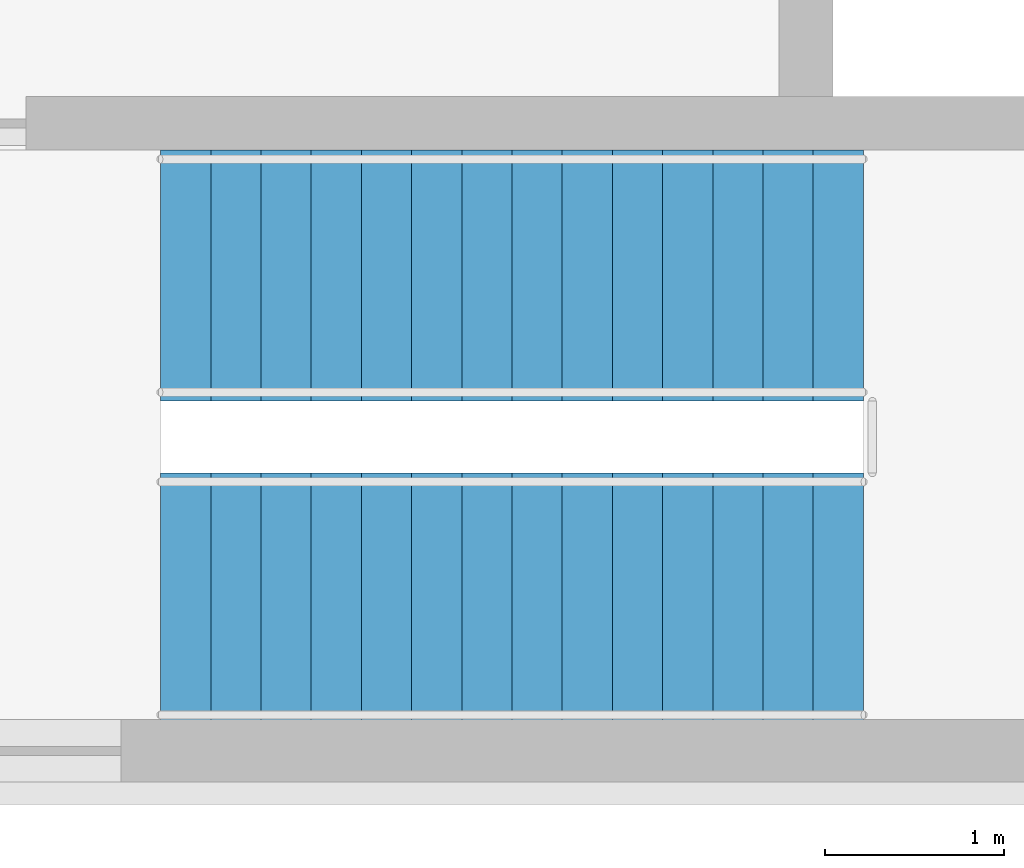
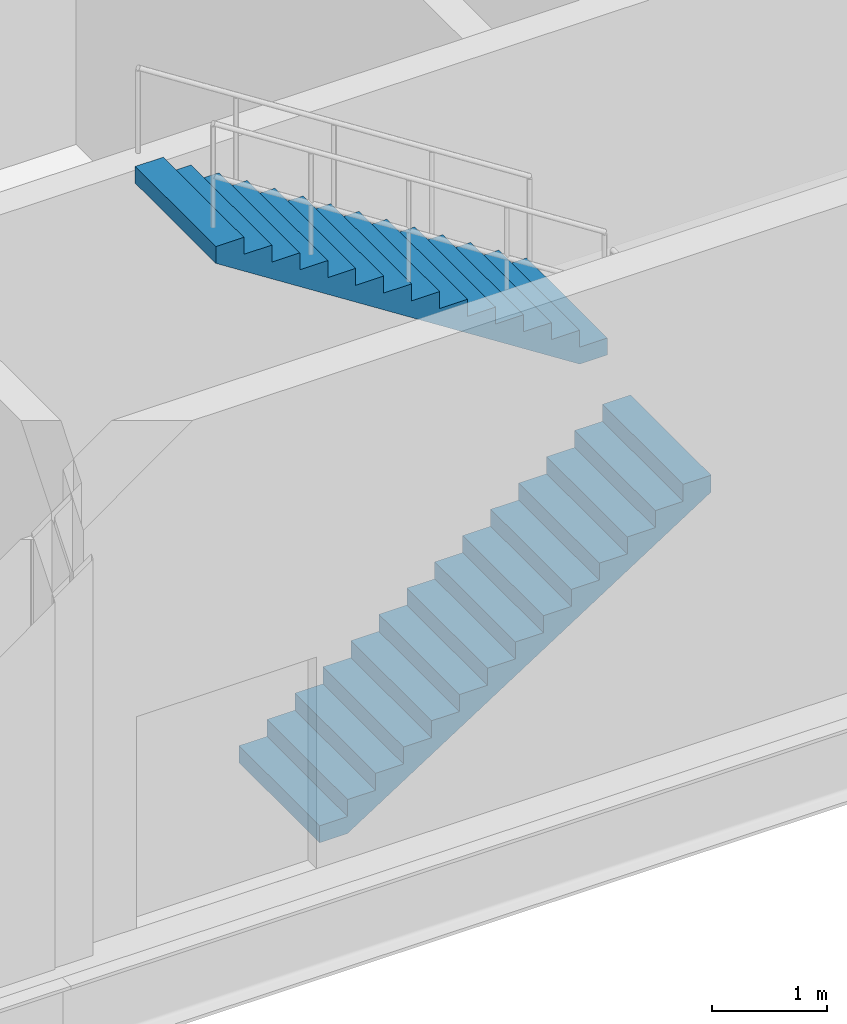
# One storey, part 103 of 111: 2 stair flights, 1 element without a shape of its own.
"""IFC4 building model written with IfcOpenShell, lengths in metres."""

from ifc_helpers import new_model, si_unit, direction, frame, origin, place, context, subcontext, project, spatial, polyline, outline, extrude, material, type_object, element, aggregate, save


model = new_model("IFC4")

# Units and contexts
model_context = context("Model", 3, precision=1e-05, world=origin(), true_north=direction((0.0, 1.0)))
body_context = subcontext(model_context, "Body", "Model", "MODEL_VIEW")
ifc_project = project(units=[si_unit("LENGTHUNIT", "METRE"), si_unit("AREAUNIT", "SQUARE_METRE"), si_unit("VOLUMEUNIT", "CUBIC_METRE"), si_unit("PLANEANGLEUNIT", "RADIAN"), si_unit("MASSUNIT", "GRAM", prefix="KILO"), si_unit("THERMODYNAMICTEMPERATUREUNIT", "KELVIN"), si_unit("POWERUNIT", "WATT")], contexts=[model_context])

# Site, building, storey
site_placement = place(None, origin())
site = spatial("IfcSite", under=ifc_project, at=site_placement, CompositionType="ELEMENT")
building_placement = place(site_placement, origin())
building = spatial("IfcBuilding", under=site, at=building_placement, Name="Tembeka Court Mobility Hub", CompositionType="ELEMENT")
storey_placement = place(building_placement, origin())
storey = spatial("IfcBuildingStorey", under=building, at=storey_placement, Name="L00", CompositionType="ELEMENT", Elevation=0.0)

# Stair, stair flights
ifc_material = material(Name="Concrete C40/50", Category="concrete")
stair_type = type_object("IfcStairType", Name="STR-ST06L00", PredefinedType="HALF_TURN_STAIR", material=ifc_material)
stair_placement = place(storey_placement, origin())
stair = element("IfcStair", 1, at=stair_placement, inside=storey, type_object=stair_type, Name="Protected exit stair ST06 (L00)", PredefinedType="HALF_TURN_STAIR")
stair_flight_type_1 = type_object("IfcStairFlightType", Name="STF-ST06L00F1", PredefinedType="STRAIGHT", material=ifc_material)
stair_flight_1_placement = place(storey_placement, frame((155.14990234375, 1.0, 0.0), z_axis=(0.0, 0.0, 1.0), x_axis=(1.0, 0.0, 0.0)))
stair_flight_1 = element("IfcStairFlight", 2, at=stair_flight_1_placement, type_object=stair_flight_type_1, Name="ST06L00 flight 1", NumberOfRisers=15, NumberOfTreads=14, PredefinedType="STRAIGHT", RiserHeight=0.18, TreadLength=0.28, context=body_context, shape_type="SweptSolid", body=[
    extrude(outline(polyline([(0.0, 0.0), (0.0, 0.179931640625), (0.280029296875, 0.179931640625), (0.280029296875, 0.360107421875), (0.56005859375, 0.360107421875), (0.56005859375, 0.5400390625), (0.840087890625, 0.5400390625), (0.840087890625, 0.719970703125), (1.1201171875, 0.719970703125), (1.1201171875, 0.89990234375), (1.39990234375, 0.89990234375), (1.39990234375, 1.080078125), (1.679931640625, 1.080078125), (1.679931640625, 1.260009765625), (1.9599609375, 1.260009765625), (1.9599609375, 1.43994140625), (2.239990234375, 1.43994140625), (2.239990234375, 1.6201171875), (2.52001953125, 1.6201171875), (2.52001953125, 1.800048828125), (2.800048828125, 1.800048828125), (2.800048828125, 1.97998046875), (3.080078125, 1.97998046875), (3.080078125, 2.159912109375), (3.360107421875, 2.159912109375), (3.360107421875, 2.340087890625), (3.639892578125, 2.340087890625), (3.639892578125, 2.52001953125), (3.919921875, 2.52001953125), (3.919921875, 2.699951171875), (3.919921875, 2.341796875), (0.277099609375, 0.0), (0.0, 0.0)])), frame((0.0, 0.699951171875, 0.0), z_axis=(0.0, -1.0, 0.0), x_axis=(1.0, 0.0, 0.0)), (0.0, 0.0, 1.0), 1.39990234375),
])
stair_flight_type_2 = type_object("IfcStairFlightType", Name="STF-ST06L00F2", PredefinedType="STRAIGHT", material=ifc_material)
stair_flight_2_placement = place(storey_placement, frame((159.070068359375, 2.800048828125, 2.699951171875), z_axis=(0.0, 0.0, 1.0), x_axis=(-1.0, 0.0, 0.0)))
stair_flight_2 = element("IfcStairFlight", 3, at=stair_flight_2_placement, type_object=stair_flight_type_2, Name="ST06L00 flight 2", NumberOfRisers=15, NumberOfTreads=14, PredefinedType="STRAIGHT", RiserHeight=0.18, TreadLength=0.28, context=body_context, shape_type="SweptSolid", body=[
    extrude(outline(polyline([(0.0, 0.0), (0.0, 0.179931640625), (0.280029296875, 0.179931640625), (0.280029296875, 0.360107421875), (0.56005859375, 0.360107421875), (0.56005859375, 0.5400390625), (0.840087890625, 0.5400390625), (0.840087890625, 0.719970703125), (1.1201171875, 0.719970703125), (1.1201171875, 0.89990234375), (1.39990234375, 0.89990234375), (1.39990234375, 1.080078125), (1.679931640625, 1.080078125), (1.679931640625, 1.260009765625), (1.9599609375, 1.260009765625), (1.9599609375, 1.43994140625), (2.239990234375, 1.43994140625), (2.239990234375, 1.6201171875), (2.52001953125, 1.6201171875), (2.52001953125, 1.800048828125), (2.800048828125, 1.800048828125), (2.800048828125, 1.97998046875), (3.080078125, 1.97998046875), (3.080078125, 2.159912109375), (3.360107421875, 2.159912109375), (3.360107421875, 2.340087890625), (3.639892578125, 2.340087890625), (3.639892578125, 2.52001953125), (3.919921875, 2.52001953125), (3.919921875, 2.699951171875), (3.919921875, 2.341796875), (0.277099609375, 0.0), (0.0, 0.0)])), frame((0.0, 0.699951171875, 0.0), z_axis=(0.0, -1.0, 0.0), x_axis=(1.0, 0.0, 0.0)), (0.0, 0.0, 1.0), 1.39990234375),
])
aggregate(stair, [stair_flight_1, stair_flight_2])

save(model, "model.ifc")
